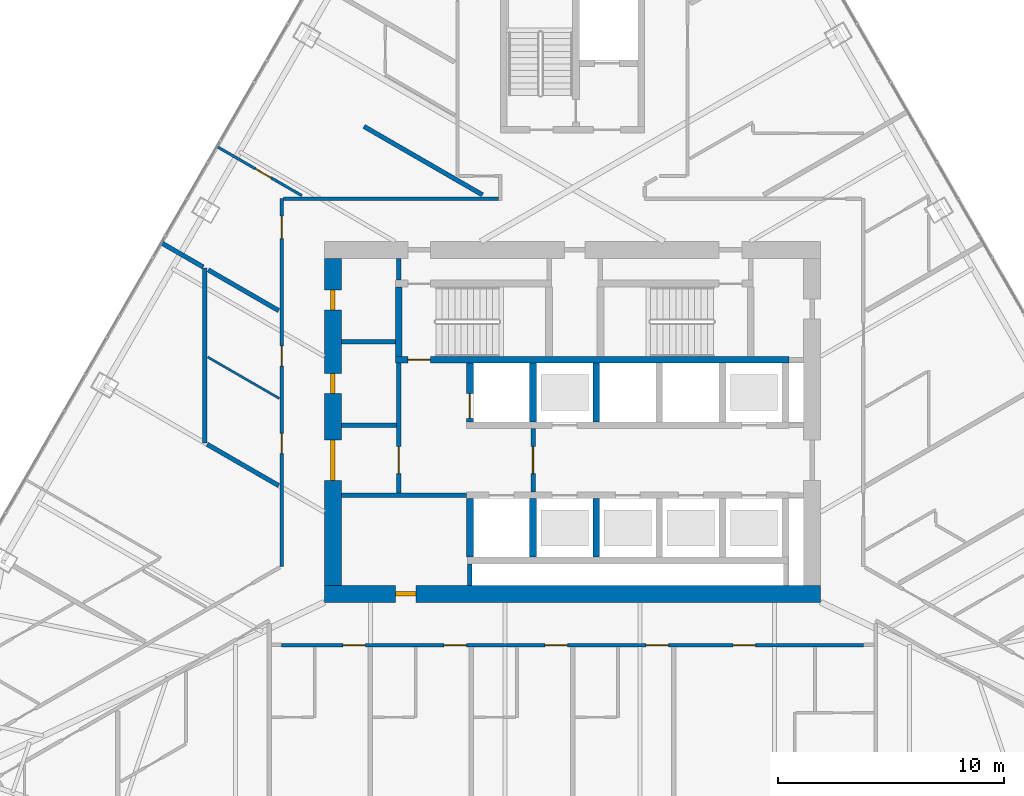
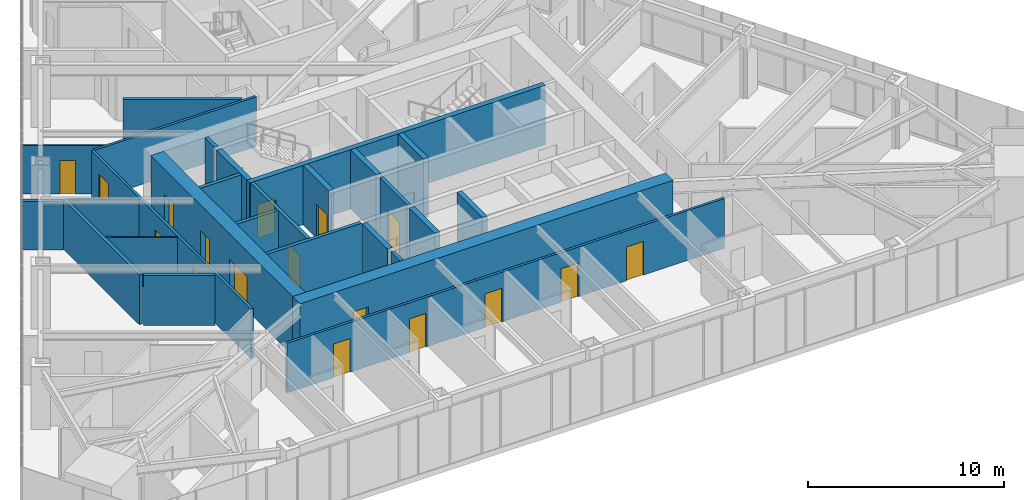
# One storey, part 20 of 26: 27 walls, 17 doors, 17 openings.
"""IFC4 building model written with IfcOpenShell, lengths in metres."""

from ifc_helpers import new_model, si_unit, direction, frame, frame_2d, origin, place, context, subcontext, project, spatial, rectangle, extrude, material, layer, layer_set, type_object, element, fill, save


model = new_model("IFC4")

# Units and contexts
model_context = context("Model", 3, precision=1e-05, world=origin(), true_north=direction((0.0, 1.0)))
body_context = subcontext(model_context, "Body", "Model", "MODEL_VIEW")
ifc_project = project(units=[si_unit("LENGTHUNIT", "METRE"), si_unit("AREAUNIT", "SQUARE_METRE"), si_unit("VOLUMEUNIT", "CUBIC_METRE"), si_unit("PLANEANGLEUNIT", "RADIAN"), si_unit("MASSUNIT", "GRAM", prefix="KILO")], contexts=[model_context])

# Site, building, storey
site_placement = place(None, origin())
site = spatial("IfcSite", under=ifc_project, at=site_placement, CompositionType="ELEMENT")
building_placement = place(site_placement, origin())
building = spatial("IfcBuilding", under=site, at=building_placement, Name="Firuza Gate Tower and Library", CompositionType="ELEMENT")
storey_placement = place(building_placement, frame((0.0, 0.0, 175.300048828125)))
storey = spatial("IfcBuildingStorey", under=building, at=storey_placement, Name="L40", CompositionType="ELEMENT", Elevation=175.300048828125)

# Walls
ifc_material_1 = material(Name="Plasterboard on steel studs", Category="steel")
ifc_layer_1 = layer(ifc_material_1, 0.199951171875)
ifc_layer_set_1 = layer_set([ifc_layer_1], Name="Core partition 200 EI 120")
wall_type_1 = type_object("IfcWallType", Name="Core partition 200 EI 120", PredefinedType="PARTITIONING", material=ifc_layer_set_1)
wall_1_placement = place(storey_placement, frame((64.75, 71.75, 0.0), z_axis=(0.0, 0.0, 1.0), x_axis=(1.0, 0.0, 0.0)))
element("IfcWall", 1, at=wall_1_placement, inside=storey, type_object=wall_type_1, Name="Core partition L40 1", PredefinedType="PARTITIONING", context=body_context, shape_type="SweptSolid", body=[
    extrude(rectangle(XDim=5.550048828125, YDim=0.199951171875, at=frame_2d((2.77490234375, 0.0))), origin(), (0.0, 0.0, 1.0), 3.699951171875),
])
wall_2_placement = place(storey_placement, frame((70.449951171875, 67.75, 0.0), z_axis=(0.0, 0.0, 1.0), x_axis=(0.0, 1.0, 0.0)))
element("IfcWall", 2, at=wall_2_placement, inside=storey, type_object=wall_type_1, Name="Core partition L40 9", PredefinedType="PARTITIONING", context=body_context, shape_type="SweptSolid", body=[
    extrude(rectangle(XDim=0.949951171875, YDim=0.199951171875, at=frame_2d((0.47509765625, 0.0))), origin(), (0.0, 0.0, 1.0), 3.699951171875),
])
ifc_material_2 = material(Name="Plasterboard on steel studs", Category="steel")
ifc_layer_2 = layer(ifc_material_2, 0.199951171875)
ifc_layer_set_2 = layer_set([ifc_layer_2], Name="Core partition 200 EI 60")
wall_type_2 = type_object("IfcWallType", Name="Core partition 200 EI 60", PredefinedType="PARTITIONING", material=ifc_layer_set_2)
wall_3_placement = place(storey_placement, frame((64.75, 74.85009765625, 0.0), z_axis=(0.0, 0.0, 1.0), x_axis=(1.0, 0.0, 0.0)))
element("IfcWall", 3, at=wall_3_placement, inside=storey, type_object=wall_type_2, Name="Core partition L40 3", PredefinedType="PARTITIONING", context=body_context, shape_type="SweptSolid", body=[
    extrude(rectangle(XDim=2.449951171875, YDim=0.199951171875, at=frame_2d((1.22509765625, 0.0))), origin(), (0.0, 0.0, 1.0), 3.699951171875),
])
wall_4_placement = place(storey_placement, frame((64.75, 78.550048828125, 0.0), z_axis=(0.0, 0.0, 1.0), x_axis=(1.0, 0.0, 0.0)))
element("IfcWall", 4, at=wall_4_placement, inside=storey, type_object=wall_type_2, Name="Core partition L40 6", PredefinedType="PARTITIONING", context=body_context, shape_type="SweptSolid", body=[
    extrude(rectangle(XDim=2.39990234375, YDim=0.199951171875, at=frame_2d((1.199951171875, 0.0))), origin(), (0.0, 0.0, 1.0), 3.699951171875),
])

# Wall, opening, door
wall_5_placement = place(storey_placement, frame((67.300048828125, 71.85009765625, 0.0), z_axis=(0.0, 0.0, 1.0), x_axis=(0.0, 1.0, 0.0)))
wall_5 = element("IfcWall", 5, at=wall_5_placement, inside=storey, type_object=wall_type_2, Name="Core partition L40 7", PredefinedType="PARTITIONING", context=body_context, shape_type="SweptSolid", body=[
    extrude(rectangle(XDim=5.75, YDim=0.199951171875, at=frame_2d((2.875, 0.0))), origin(), (0.0, 0.0, 1.0), 3.699951171875),
])
opening_1_placement = place(wall_5_placement, frame((0.85009765625, 0.0, 0.0)))
opening_1 = element("IfcOpeningElement", 6, at=opening_1_placement, cuts=wall_5, Name="Opening L40-K19", PredefinedType="OPENING", context=body_context, shape_type="SweptSolid", body=[
    extrude(rectangle(XDim=1.199951171875, YDim=2.10009765625, at=frame_2d((0.60009765625, 1.050048828125))), frame((0.0, 0.10986328125, 0.0), z_axis=(0.0, -1.0, 0.0), x_axis=(1.0, 0.0, 0.0)), (0.0, 0.0, 1.0), 0.219970703125),
])
ifc_material_3 = material(Name="Steel", Category="steel")
door_type_1 = type_object("IfcDoorType", Name="Fire door 1200x2100 FD90S", OperationType="NOTDEFINED", PredefinedType="DOOR", material=ifc_material_3)
door_1_placement = place(opening_1_placement, origin())
door_1 = element("IfcDoor", 7, at=door_1_placement, inside=storey, type_object=door_type_1, Name="Door L40-K19", OperationType="SINGLE_SWING_RIGHT", OverallHeight=2.10009765625, OverallWidth=1.199951171875, PredefinedType="DOOR", context=body_context, shape_type="SweptSolid", body=[
    extrude(rectangle(XDim=1.199951171875, YDim=2.10009765625, at=frame_2d((0.60009765625, 1.050048828125))), frame((0.0, 0.02490234375, 0.0), z_axis=(0.0, -1.0, 0.0), x_axis=(1.0, 0.0, 0.0)), (0.0, 0.0, 1.0), 0.050048828125),
])
fill(opening_1, door_1)

# Wall
wall_6_placement = place(storey_placement, frame((67.300048828125, 81.280029296875, 0.0), z_axis=(0.0, 0.0, 1.0), x_axis=(0.0, 1.0, 0.0)))
element("IfcWall", 8, at=wall_6_placement, inside=storey, type_object=wall_type_2, Name="Core partition L40 8", PredefinedType="PARTITIONING", context=body_context, shape_type="SweptSolid", body=[
    extrude(rectangle(XDim=0.969970703125, YDim=0.199951171875, at=frame_2d((0.48486328125, 0.0))), origin(), (0.0, 0.0, 1.0), 3.699951171875),
])

# Wall, opening, door
wall_7_placement = place(storey_placement, frame((73.25, 71.89990234375, 0.0), z_axis=(0.0, 0.0, 1.0), x_axis=(0.0, 1.0, 0.0)))
wall_7 = element("IfcWall", 9, at=wall_7_placement, inside=storey, type_object=wall_type_2, Name="Core partition L40 10", PredefinedType="PARTITIONING", context=body_context, shape_type="SweptSolid", body=[
    extrude(rectangle(XDim=2.800048828125, YDim=0.199951171875, at=frame_2d((1.39990234375, 0.0))), origin(), (0.0, 0.0, 1.0), 3.699951171875),
])
opening_2_placement = place(wall_7_placement, frame((0.800048828125, 0.0, 0.0)))
opening_2 = element("IfcOpeningElement", 10, at=opening_2_placement, cuts=wall_7, Name="Opening L40-K18", PredefinedType="OPENING", context=body_context, shape_type="SweptSolid", body=[
    extrude(rectangle(XDim=1.199951171875, YDim=2.10009765625, at=frame_2d((0.60009765625, 1.050048828125))), frame((0.0, 0.10986328125, 0.0), z_axis=(0.0, -1.0, 0.0), x_axis=(1.0, 0.0, 0.0)), (0.0, 0.0, 1.0), 0.219970703125),
])
door_2_placement = place(opening_2_placement, origin())
door_2 = element("IfcDoor", 11, at=door_2_placement, inside=storey, type_object=door_type_1, Name="Door L40-K18", OperationType="SINGLE_SWING_LEFT", OverallHeight=2.10009765625, OverallWidth=1.199951171875, PredefinedType="DOOR", context=body_context, shape_type="SweptSolid", body=[
    extrude(rectangle(XDim=1.199951171875, YDim=2.10009765625, at=frame_2d((0.60009765625, 1.050048828125))), frame((0.0, 0.02490234375, 0.0), z_axis=(0.0, -1.0, 0.0), x_axis=(1.0, 0.0, 0.0)), (0.0, 0.0, 1.0), 0.050048828125),
])
fill(opening_2, door_2)

# Wall
ifc_material_4 = material(Name="Concrete C80/95", Category="concrete")
ifc_layer_3 = layer(ifc_material_4, 0.300048828125)
ifc_layer_set_3 = layer_set([ifc_layer_3], Name="Core wall 300 C80/95")
wall_type_3 = type_object("IfcWallType", Name="Core wall 300 C80/95", PredefinedType="SHEAR", material=ifc_layer_set_3)
wall_8_placement = place(storey_placement, frame((70.449951171875, 69.0, 0.0), z_axis=(0.0, 0.0, 1.0), x_axis=(0.0, 1.0, 0.0)))
element("IfcWall", 12, at=wall_8_placement, inside=storey, type_object=wall_type_3, Name="Core wall L40 8", PredefinedType="SHEAR", context=body_context, shape_type="SweptSolid", body=[
    extrude(rectangle(XDim=2.60009765625, YDim=0.300048828125, at=frame_2d((1.300048828125, 0.0))), origin(), (0.0, 0.0, 1.0), 3.699951171875),
])

# Wall, opening, door
wall_9_placement = place(storey_placement, frame((70.449951171875, 75.0, 0.0), z_axis=(0.0, 0.0, 1.0), x_axis=(0.0, 1.0, 0.0)))
wall_9 = element("IfcWall", 13, at=wall_9_placement, inside=storey, type_object=wall_type_3, Name="Core wall L40 9", PredefinedType="SHEAR", context=body_context, shape_type="SweptSolid", body=[
    extrude(rectangle(XDim=2.60009765625, YDim=0.300048828125, at=frame_2d((1.300048828125, 0.0))), origin(), (0.0, 0.0, 1.0), 3.699951171875),
])
opening_3_placement = place(wall_9_placement, frame((0.14990234375, 0.0, 0.0)))
opening_3 = element("IfcOpeningElement", 14, at=opening_3_placement, cuts=wall_9, Name="Opening LD-FF2-L40", PredefinedType="OPENING", context=body_context, shape_type="SweptSolid", body=[
    extrude(rectangle(XDim=1.10009765625, YDim=2.10009765625, at=frame_2d((0.550048828125, 1.050048828125))), frame((0.0, 0.16015625, 0.0), z_axis=(0.0, -1.0, 0.0), x_axis=(1.0, 0.0, 0.0)), (0.0, 0.0, 1.0), 0.320068359375),
])
ifc_material_5 = material(Name="Stainless steel", Category="steel")
door_type_2 = type_object("IfcDoorType", Name="Lift landing door 1100x2100", OperationType="DOUBLE_DOOR_SLIDING", PredefinedType="DOOR", material=ifc_material_5)
door_3_placement = place(opening_3_placement, origin())
door_3 = element("IfcDoor", 15, at=door_3_placement, inside=storey, type_object=door_type_2, Name="Landing door FF2 L40", OperationType="DOUBLE_DOOR_SLIDING", OverallHeight=2.10009765625, OverallWidth=1.10009765625, PredefinedType="DOOR", context=body_context, shape_type="SweptSolid", body=[
    extrude(rectangle(XDim=1.10009765625, YDim=2.10009765625, at=frame_2d((0.550048828125, 1.050048828125))), frame((0.0, 0.02490234375, 0.0), z_axis=(0.0, -1.0, 0.0), x_axis=(1.0, 0.0, 0.0)), (0.0, 0.0, 1.0), 0.050048828125),
])
fill(opening_3, door_3)

# Walls
for number, where, z_axis, x_axis, name in (
    (16, (73.25, 69.0, 0.0), (0.0, 0.0, 1.0), (0.0, 1.0, 0.0), "Core wall L40 10"),
    (17, (73.25, 75.0, 0.0), (0.0, 0.0, 1.0), (0.0, 1.0, 0.0), "Core wall L40 11"),
    (18, (76.050048828125, 69.0, 0.0), (0.0, 0.0, 1.0), (0.0, 1.0, 0.0), "Core wall L40 12"),
    (19, (76.050048828125, 75.0, 0.0), (0.0, 0.0, 1.0), (0.0, 1.0, 0.0), "Core wall L40 13"),
):
    element("IfcWall", number, at=place(storey_placement, frame(where, z_axis=z_axis, x_axis=x_axis)), inside=storey, type_object=wall_type_3, Name=name, PredefinedType="SHEAR", context=body_context, shape_type="SweptSolid", body=[
        extrude(rectangle(XDim=2.60009765625, YDim=0.300048828125, at=frame_2d((1.300048828125, 0.0))), origin(), (0.0, 0.0, 1.0), 3.699951171875),
    ])

# Wall, opening, door
wall_10_placement = place(storey_placement, frame((67.14990234375, 77.75, 0.0), z_axis=(0.0, 0.0, 1.0), x_axis=(1.0, 0.0, 0.0)))
wall_10 = element("IfcWall", 20, at=wall_10_placement, inside=storey, type_object=wall_type_3, Name="Core wall L40 20", PredefinedType="SHEAR", context=body_context, shape_type="SweptSolid", body=[
    extrude(rectangle(XDim=17.4501953125, YDim=0.300048828125, at=frame_2d((8.72509765625, 0.0))), origin(), (0.0, 0.0, 1.0), 3.699951171875),
])
opening_4_placement = place(wall_10_placement, frame((0.544921875, 0.0, 0.0)))
opening_4 = element("IfcOpeningElement", 21, at=opening_4_placement, cuts=wall_10, Name="Opening L40-K10", PredefinedType="OPENING", context=body_context, shape_type="SweptSolid", body=[
    extrude(rectangle(XDim=1.0, YDim=2.10009765625, at=frame_2d((0.5, 1.050048828125))), frame((0.0, 0.16015625, 0.0), z_axis=(0.0, -1.0, 0.0), x_axis=(1.0, 0.0, 0.0)), (0.0, 0.0, 1.0), 0.320068359375),
])
ifc_material_6 = material(Name="Steel", Category="steel")
door_type_3 = type_object("IfcDoorType", Name="Fire door 1000x2100 FD90", OperationType="NOTDEFINED", PredefinedType="DOOR", material=ifc_material_6)
door_4_placement = place(opening_4_placement, origin())
door_4 = element("IfcDoor", 22, at=door_4_placement, inside=storey, type_object=door_type_3, Name="Door L40-K10", OperationType="SINGLE_SWING_LEFT", OverallHeight=2.10009765625, OverallWidth=1.0, PredefinedType="DOOR", context=body_context, shape_type="SweptSolid", body=[
    extrude(rectangle(XDim=1.0, YDim=2.10009765625, at=frame_2d((0.5, 1.050048828125))), frame((0.0, 0.02490234375, 0.0), z_axis=(0.0, -1.0, 0.0), x_axis=(1.0, 0.0, 0.0)), (0.0, 0.0, 1.0), 0.050048828125),
])
fill(opening_4, door_4)

# Wall
wall_11_placement = place(storey_placement, frame((67.300048828125, 77.89990234375, 0.0), z_axis=(0.0, 0.0, 1.0), x_axis=(0.0, 1.0, 0.0)))
element("IfcWall", 23, at=wall_11_placement, inside=storey, type_object=wall_type_3, Name="Core wall L40 23", PredefinedType="SHEAR", context=body_context, shape_type="SweptSolid", body=[
    extrude(rectangle(XDim=3.080078125, YDim=0.300048828125, at=frame_2d((1.5400390625, 0.0))), origin(), (0.0, 0.0, 1.0), 3.699951171875),
])

# Wall, opening, door
ifc_material_7 = material(Name="Concrete C80/95", Category="concrete")
ifc_layer_4 = layer(ifc_material_7, 0.75)
ifc_layer_set_4 = layer_set([ifc_layer_4], Name="Core wall 750 C80/95")
wall_type_4 = type_object("IfcWallType", Name="Core wall 750 C80/95", PredefinedType="SHEAR", material=ifc_layer_set_4)
wall_12_placement = place(storey_placement, frame((64.0, 67.375, 0.0), z_axis=(0.0, 0.0, 1.0), x_axis=(1.0, 0.0, 0.0)))
wall_12 = element("IfcWall", 24, at=wall_12_placement, inside=storey, type_object=wall_type_4, Name="Core wall L40 1", PredefinedType="SHEAR", context=body_context, shape_type="SweptSolid", body=[
    extrude(rectangle(XDim=22.0, YDim=0.75, at=frame_2d((11.0, 0.0))), origin(), (0.0, 0.0, 1.0), 3.699951171875),
])
opening_5_placement = place(wall_12_placement, frame((3.14990234375, 0.0, 0.0)))
opening_5 = element("IfcOpeningElement", 25, at=opening_5_placement, cuts=wall_12, Name="Opening L40-K22", PredefinedType="OPENING", context=body_context, shape_type="SweptSolid", body=[
    extrude(rectangle(XDim=0.89990234375, YDim=2.10009765625, at=frame_2d((0.449951171875, 1.050048828125))), frame((0.0, 0.385009765625, 0.0), z_axis=(0.0, -1.0, 0.0), x_axis=(1.0, 0.0, 0.0)), (0.0, 0.0, 1.0), 0.77001953125),
])
ifc_material_8 = material(Name="Steel", Category="steel")
door_type_4 = type_object("IfcDoorType", Name="Fire door 900x2100 FD30S", OperationType="NOTDEFINED", PredefinedType="DOOR", material=ifc_material_8)
door_5_placement = place(opening_5_placement, origin())
door_5 = element("IfcDoor", 26, at=door_5_placement, inside=storey, type_object=door_type_4, Name="Door L40-K22", OperationType="SINGLE_SWING_LEFT", OverallHeight=2.10009765625, OverallWidth=0.89990234375, PredefinedType="DOOR", context=body_context, shape_type="SweptSolid", body=[
    extrude(rectangle(XDim=0.89990234375, YDim=2.10009765625, at=frame_2d((0.449951171875, 1.050048828125))), frame((0.0, 0.094970703125, 0.0), z_axis=(0.0, -1.0, 0.0), x_axis=(1.0, 0.0, 0.0)), (0.0, 0.0, 1.0), 0.18994140625),
])
fill(opening_5, door_5)

# Wall, openings, doors
wall_13_placement = place(storey_placement, frame((64.375, 67.75, 0.0), z_axis=(0.0, 0.0, 1.0), x_axis=(0.0, 1.0, 0.0)))
wall_13 = element("IfcWall", 27, at=wall_13_placement, inside=storey, type_object=wall_type_4, Name="Core wall L40 3", PredefinedType="SHEAR", context=body_context, shape_type="SweptSolid", body=[
    extrude(rectangle(XDim=14.5, YDim=0.75, at=frame_2d((7.25, 0.0))), origin(), (0.0, 0.0, 1.0), 3.699951171875),
])
opening_6_placement = place(wall_13_placement, frame((4.64990234375, 0.0, 0.0)))
opening_6 = element("IfcOpeningElement", 28, at=opening_6_placement, cuts=wall_13, Name="Opening L40-K20", PredefinedType="OPENING", context=body_context, shape_type="SweptSolid", body=[
    extrude(rectangle(XDim=1.800048828125, YDim=2.10009765625, at=frame_2d((0.89990234375, 1.050048828125))), frame((0.0, 0.385009765625, 0.0), z_axis=(0.0, -1.0, 0.0), x_axis=(1.0, 0.0, 0.0)), (0.0, 0.0, 1.0), 0.77001953125),
])
opening_7_placement = place(wall_13_placement, frame((8.5, 0.0, 0.0)))
opening_7 = element("IfcOpeningElement", 29, at=opening_7_placement, cuts=wall_13, Name="Opening L40-K23", PredefinedType="OPENING", context=body_context, shape_type="SweptSolid", body=[
    extrude(rectangle(XDim=0.89990234375, YDim=2.10009765625, at=frame_2d((0.449951171875, 1.050048828125))), frame((0.0, 0.385009765625, 0.0), z_axis=(0.0, -1.0, 0.0), x_axis=(1.0, 0.0, 0.0)), (0.0, 0.0, 1.0), 0.77001953125),
])
opening_8_placement = place(wall_13_placement, frame((12.199951171875, 0.0, 0.0)))
opening_8 = element("IfcOpeningElement", 30, at=opening_8_placement, cuts=wall_13, Name="Opening L40-K24", PredefinedType="OPENING", context=body_context, shape_type="SweptSolid", body=[
    extrude(rectangle(XDim=0.89990234375, YDim=2.10009765625, at=frame_2d((0.449951171875, 1.050048828125))), frame((0.0, 0.385009765625, 0.0), z_axis=(0.0, -1.0, 0.0), x_axis=(1.0, 0.0, 0.0)), (0.0, 0.0, 1.0), 0.77001953125),
])
ifc_material_9 = material(Name="Steel", Category="steel")
door_type_5 = type_object("IfcDoorType", Name="Fire door 1800x2100 FD30S", OperationType="NOTDEFINED", PredefinedType="DOOR", material=ifc_material_9)
door_6_placement = place(opening_6_placement, origin())
door_6 = element("IfcDoor", 31, at=door_6_placement, inside=storey, type_object=door_type_5, Name="Door L40-K20", OperationType="SINGLE_SWING_LEFT", OverallHeight=2.10009765625, OverallWidth=1.800048828125, PredefinedType="DOOR", context=body_context, shape_type="SweptSolid", body=[
    extrude(rectangle(XDim=1.800048828125, YDim=2.10009765625, at=frame_2d((0.89990234375, 1.050048828125))), frame((0.0, 0.094970703125, 0.0), z_axis=(0.0, -1.0, 0.0), x_axis=(1.0, 0.0, 0.0)), (0.0, 0.0, 1.0), 0.18994140625),
])
fill(opening_6, door_6)
door_7_placement = place(opening_7_placement, origin())
door_7 = element("IfcDoor", 32, at=door_7_placement, inside=storey, type_object=door_type_4, Name="Door L40-K23", OperationType="SINGLE_SWING_RIGHT", OverallHeight=2.10009765625, OverallWidth=0.89990234375, PredefinedType="DOOR", context=body_context, shape_type="SweptSolid", body=[
    extrude(rectangle(XDim=0.89990234375, YDim=2.10009765625, at=frame_2d((0.449951171875, 1.050048828125))), frame((0.0, 0.094970703125, 0.0), z_axis=(0.0, -1.0, 0.0), x_axis=(1.0, 0.0, 0.0)), (0.0, 0.0, 1.0), 0.18994140625),
])
fill(opening_7, door_7)
door_8_placement = place(opening_8_placement, origin())
door_8 = element("IfcDoor", 33, at=door_8_placement, inside=storey, type_object=door_type_4, Name="Door L40-K24", OperationType="SINGLE_SWING_LEFT", OverallHeight=2.10009765625, OverallWidth=0.89990234375, PredefinedType="DOOR", context=body_context, shape_type="SweptSolid", body=[
    extrude(rectangle(XDim=0.89990234375, YDim=2.10009765625, at=frame_2d((0.449951171875, 1.050048828125))), frame((0.0, 0.094970703125, 0.0), z_axis=(0.0, -1.0, 0.0), x_axis=(1.0, 0.0, 0.0)), (0.0, 0.0, 1.0), 0.18994140625),
])
fill(opening_8, door_8)

ifc_material_10 = material(Name="Gypsum board partition")
ifc_layer_5 = layer(ifc_material_10, 0.14990234375)
ifc_layer_set_5 = layer_set([ifc_layer_5], Name="Corridor wall 150 double board on steel studs")
wall_type_5 = type_object("IfcWallType", Name="Corridor wall 150 double board on steel studs", PredefinedType="PARTITIONING", material=ifc_layer_set_5)
wall_14_placement = place(storey_placement, frame((87.8994140625, 65.10009765625, 0.0), z_axis=(0.0, 0.0, 1.0), x_axis=(-1.0, 0.0, 0.0)))
wall_14 = element("IfcWall", 34, at=wall_14_placement, inside=storey, type_object=wall_type_5, Name="f:L40:w008", PredefinedType="PARTITIONING", context=body_context, shape_type="SweptSolid", body=[
    extrude(rectangle(XDim=25.798828125, YDim=0.14990234375, at=frame_2d((12.8994140625, 0.0))), origin(), (0.0, 0.0, 1.0), 3.099853515625),
])
opening_9_placement = place(wall_14_placement, frame((4.781982421875, 0.0, 0.0)))
opening_9 = element("IfcOpeningElement", 35, at=opening_9_placement, cuts=wall_14, Name="Opening L40-06", PredefinedType="OPENING", context=body_context, shape_type="SweptSolid", body=[
    extrude(rectangle(XDim=1.0, YDim=2.10009765625, at=frame_2d((0.5, 1.050048828125))), frame((0.0, 0.0849609375, 0.0), z_axis=(0.0, -1.0, 0.0), x_axis=(1.0, 0.0, 0.0)), (0.0, 0.0, 1.0), 0.169921875),
])
opening_10_placement = place(wall_14_placement, frame((8.63623046875, 0.0, 0.0)))
opening_10 = element("IfcOpeningElement", 36, at=opening_10_placement, cuts=wall_14, Name="Opening L40-07", PredefinedType="OPENING", context=body_context, shape_type="SweptSolid", body=[
    extrude(rectangle(XDim=1.0, YDim=2.10009765625, at=frame_2d((0.5, 1.050048828125))), frame((0.0, 0.0849609375, 0.0), z_axis=(0.0, -1.0, 0.0), x_axis=(1.0, 0.0, 0.0)), (0.0, 0.0, 1.0), 0.169921875),
])
opening_11_placement = place(wall_14_placement, frame((13.1171875, 0.0, 0.0)))
opening_11 = element("IfcOpeningElement", 37, at=opening_11_placement, cuts=wall_14, Name="Opening L40-08", PredefinedType="OPENING", context=body_context, shape_type="SweptSolid", body=[
    extrude(rectangle(XDim=1.0, YDim=2.10009765625, at=frame_2d((0.5, 1.050048828125))), frame((0.0, 0.0849609375, 0.0), z_axis=(0.0, -1.0, 0.0), x_axis=(1.0, 0.0, 0.0)), (0.0, 0.0, 1.0), 0.169921875),
])
opening_12_placement = place(wall_14_placement, frame((17.59814453125, 0.0, 0.0)))
opening_12 = element("IfcOpeningElement", 38, at=opening_12_placement, cuts=wall_14, Name="Opening L40-09", PredefinedType="OPENING", context=body_context, shape_type="SweptSolid", body=[
    extrude(rectangle(XDim=1.0, YDim=2.10009765625, at=frame_2d((0.5, 1.050048828125))), frame((0.0, 0.0849609375, 0.0), z_axis=(0.0, -1.0, 0.0), x_axis=(1.0, 0.0, 0.0)), (0.0, 0.0, 1.0), 0.169921875),
])
opening_13_placement = place(wall_14_placement, frame((22.0791015625, 0.0, 0.0)))
opening_13 = element("IfcOpeningElement", 39, at=opening_13_placement, cuts=wall_14, Name="Opening L40-10", PredefinedType="OPENING", context=body_context, shape_type="SweptSolid", body=[
    extrude(rectangle(XDim=1.0, YDim=2.10009765625, at=frame_2d((0.5, 1.050048828125))), frame((0.0, 0.0849609375, 0.0), z_axis=(0.0, -1.0, 0.0), x_axis=(1.0, 0.0, 0.0)), (0.0, 0.0, 1.0), 0.169921875),
])
ifc_material_11 = material(Name="Steel door and timber leaf", Category="steel")
door_type_6 = type_object("IfcDoorType", Name="Fire door 1000 x 2100 steel frame, timber leaf", OperationType="NOTDEFINED", PredefinedType="DOOR", material=ifc_material_11)
door_9_placement = place(opening_9_placement, origin())
door_9 = element("IfcDoor", 40, at=door_9_placement, inside=storey, type_object=door_type_6, Name="f:L40:d006", OperationType="SINGLE_SWING_RIGHT", OverallHeight=2.10009765625, OverallWidth=1.0, PredefinedType="DOOR", context=body_context, shape_type="SweptSolid", body=[
    extrude(rectangle(XDim=1.0, YDim=2.10009765625, at=frame_2d((0.5, 1.050048828125))), frame((0.0, 0.02490234375, 0.0), z_axis=(0.0, -1.0, 0.0), x_axis=(1.0, 0.0, 0.0)), (0.0, 0.0, 1.0), 0.050048828125),
])
fill(opening_9, door_9)
door_10_placement = place(opening_10_placement, origin())
door_10 = element("IfcDoor", 41, at=door_10_placement, inside=storey, type_object=door_type_6, Name="f:L40:d007", OperationType="SINGLE_SWING_RIGHT", OverallHeight=2.10009765625, OverallWidth=1.0, PredefinedType="DOOR", context=body_context, shape_type="SweptSolid", body=[
    extrude(rectangle(XDim=1.0, YDim=2.10009765625, at=frame_2d((0.5, 1.050048828125))), frame((0.0, 0.02490234375, 0.0), z_axis=(0.0, -1.0, 0.0), x_axis=(1.0, 0.0, 0.0)), (0.0, 0.0, 1.0), 0.050048828125),
])
fill(opening_10, door_10)
door_11_placement = place(opening_11_placement, origin())
door_11 = element("IfcDoor", 42, at=door_11_placement, inside=storey, type_object=door_type_6, Name="f:L40:d008", OperationType="SINGLE_SWING_RIGHT", OverallHeight=2.10009765625, OverallWidth=1.0, PredefinedType="DOOR", context=body_context, shape_type="SweptSolid", body=[
    extrude(rectangle(XDim=1.0, YDim=2.10009765625, at=frame_2d((0.5, 1.050048828125))), frame((0.0, 0.02490234375, 0.0), z_axis=(0.0, -1.0, 0.0), x_axis=(1.0, 0.0, 0.0)), (0.0, 0.0, 1.0), 0.050048828125),
])
fill(opening_11, door_11)
door_12_placement = place(opening_12_placement, origin())
door_12 = element("IfcDoor", 43, at=door_12_placement, inside=storey, type_object=door_type_6, Name="f:L40:d009", OperationType="SINGLE_SWING_RIGHT", OverallHeight=2.10009765625, OverallWidth=1.0, PredefinedType="DOOR", context=body_context, shape_type="SweptSolid", body=[
    extrude(rectangle(XDim=1.0, YDim=2.10009765625, at=frame_2d((0.5, 1.050048828125))), frame((0.0, 0.02490234375, 0.0), z_axis=(0.0, -1.0, 0.0), x_axis=(1.0, 0.0, 0.0)), (0.0, 0.0, 1.0), 0.050048828125),
])
fill(opening_12, door_12)
door_13_placement = place(opening_13_placement, origin())
door_13 = element("IfcDoor", 44, at=door_13_placement, inside=storey, type_object=door_type_6, Name="f:L40:d010", OperationType="SINGLE_SWING_RIGHT", OverallHeight=2.10009765625, OverallWidth=1.0, PredefinedType="DOOR", context=body_context, shape_type="SweptSolid", body=[
    extrude(rectangle(XDim=1.0, YDim=2.10009765625, at=frame_2d((0.5, 1.050048828125))), frame((0.0, 0.02490234375, 0.0), z_axis=(0.0, -1.0, 0.0), x_axis=(1.0, 0.0, 0.0)), (0.0, 0.0, 1.0), 0.050048828125),
])
fill(opening_13, door_13)

# Wall
wall_15_placement = place(storey_placement, frame((62.175537109375, 84.89990234375, 0.0), z_axis=(0.0, 0.0, 1.0), x_axis=(1.0, 0.0, 0.0)))
element("IfcWall", 45, at=wall_15_placement, inside=storey, type_object=wall_type_5, Name="f:L40:w011", PredefinedType="PARTITIONING", context=body_context, shape_type="SweptSolid", body=[
    extrude(rectangle(XDim=9.549560546875, YDim=0.14990234375, at=frame_2d((4.77490234375, 0.0))), origin(), (0.0, 0.0, 1.0), 3.099853515625),
])

# Wall, openings, doors
wall_16_placement = place(storey_placement, frame((62.10009765625, 68.59130859375, 0.0), z_axis=(0.0, 0.0, 1.0), x_axis=(0.0, 1.0, 0.0)))
wall_16 = element("IfcWall", 46, at=wall_16_placement, inside=storey, type_object=wall_type_5, Name="f:L40:w080", PredefinedType="PARTITIONING", context=body_context, shape_type="SweptSolid", body=[
    extrude(rectangle(XDim=16.30810546875, YDim=0.14990234375, at=frame_2d((8.154052734375, 0.0))), origin(), (0.0, 0.0, 1.0), 3.099853515625),
])
opening_14_placement = place(wall_16_placement, frame((4.99853515625, 0.0, 0.0)))
opening_14 = element("IfcOpeningElement", 47, at=opening_14_placement, cuts=wall_16, Name="Opening L40-41", PredefinedType="OPENING", context=body_context, shape_type="SweptSolid", body=[
    extrude(rectangle(XDim=0.89990234375, YDim=2.10009765625, at=frame_2d((0.449951171875, 1.050048828125))), frame((0.0, 0.0849609375, 0.0), z_axis=(0.0, -1.0, 0.0), x_axis=(1.0, 0.0, 0.0)), (0.0, 0.0, 1.0), 0.169921875),
])
opening_15_placement = place(wall_16_placement, frame((8.879150390625, 0.0, 0.0)))
opening_15 = element("IfcOpeningElement", 48, at=opening_15_placement, cuts=wall_16, Name="Opening L40-42", PredefinedType="OPENING", context=body_context, shape_type="SweptSolid", body=[
    extrude(rectangle(XDim=0.89990234375, YDim=2.10009765625, at=frame_2d((0.449951171875, 1.050048828125))), frame((0.0, 0.0849609375, 0.0), z_axis=(0.0, -1.0, 0.0), x_axis=(1.0, 0.0, 0.0)), (0.0, 0.0, 1.0), 0.169921875),
])
opening_16_placement = place(wall_16_placement, frame((14.53173828125, 0.0, 0.0)))
opening_16 = element("IfcOpeningElement", 49, at=opening_16_placement, cuts=wall_16, Name="Opening L40-43", PredefinedType="OPENING", context=body_context, shape_type="SweptSolid", body=[
    extrude(rectangle(XDim=1.0, YDim=2.10009765625, at=frame_2d((0.5, 1.050048828125))), frame((0.0, 0.0849609375, 0.0), z_axis=(0.0, -1.0, 0.0), x_axis=(1.0, 0.0, 0.0)), (0.0, 0.0, 1.0), 0.169921875),
])
door_14_placement = place(opening_16_placement, origin())
door_14 = element("IfcDoor", 50, at=door_14_placement, inside=storey, type_object=door_type_6, Name="f:L40:d043", OperationType="SINGLE_SWING_RIGHT", OverallHeight=2.10009765625, OverallWidth=1.0, PredefinedType="DOOR", context=body_context, shape_type="SweptSolid", body=[
    extrude(rectangle(XDim=1.0, YDim=2.10009765625, at=frame_2d((0.5, 1.050048828125))), frame((0.0, 0.02490234375, 0.0), z_axis=(0.0, -1.0, 0.0), x_axis=(1.0, 0.0, 0.0)), (0.0, 0.0, 1.0), 0.050048828125),
])
fill(opening_16, door_14)
ifc_material_12 = material(Name="Steel door and timber leaf", Category="steel")
door_type_7 = type_object("IfcDoorType", Name="Fire door 900 x 2100 steel frame, timber leaf", OperationType="NOTDEFINED", PredefinedType="DOOR", material=ifc_material_12)
door_15_placement = place(opening_14_placement, origin())
door_15 = element("IfcDoor", 51, at=door_15_placement, inside=storey, type_object=door_type_7, Name="f:L40:d041", OperationType="SINGLE_SWING_LEFT", OverallHeight=2.10009765625, OverallWidth=0.89990234375, PredefinedType="DOOR", context=body_context, shape_type="SweptSolid", body=[
    extrude(rectangle(XDim=0.89990234375, YDim=2.10009765625, at=frame_2d((0.449951171875, 1.050048828125))), frame((0.0, 0.02490234375, 0.0), z_axis=(0.0, -1.0, 0.0), x_axis=(1.0, 0.0, 0.0)), (0.0, 0.0, 1.0), 0.050048828125),
])
fill(opening_14, door_15)
door_16_placement = place(opening_15_placement, origin())
door_16 = element("IfcDoor", 52, at=door_16_placement, inside=storey, type_object=door_type_7, Name="f:L40:d042", OperationType="SINGLE_SWING_RIGHT", OverallHeight=2.10009765625, OverallWidth=0.89990234375, PredefinedType="DOOR", context=body_context, shape_type="SweptSolid", body=[
    extrude(rectangle(XDim=0.89990234375, YDim=2.10009765625, at=frame_2d((0.449951171875, 1.050048828125))), frame((0.0, 0.02490234375, 0.0), z_axis=(0.0, -1.0, 0.0), x_axis=(1.0, 0.0, 0.0)), (0.0, 0.0, 1.0), 0.050048828125),
])
fill(opening_15, door_16)

# Walls
ifc_material_13 = material(Name="Gypsum board partition")
ifc_layer_6 = layer(ifc_material_13, 0.199951171875)
ifc_layer_set_6 = layer_set([ifc_layer_6], Name="Demising wall 200 acoustic double stud")
wall_type_6 = type_object("IfcWallType", Name="Demising wall 200 acoustic double stud", PredefinedType="PARTITIONING", material=ifc_layer_set_6)
wall_17_placement = place(storey_placement, frame((58.699951171875, 74.063232421875, 0.0), z_axis=(0.0, 0.0, 1.0), x_axis=(0.0, 1.0, 0.0)))
element("IfcWall", 53, at=wall_17_placement, inside=storey, type_object=wall_type_6, Name="f:L40:w082", PredefinedType="PARTITIONING", context=body_context, shape_type="SweptSolid", body=[
    extrude(rectangle(XDim=7.76025390625, YDim=0.199951171875, at=frame_2d((3.880126953125, 0.0))), origin(), (0.0, 0.0, 1.0), 3.099853515625),
])
wall_18_placement = place(storey_placement, frame((71.009521484375, 85.064697265625, 0.0), z_axis=(0.0, 0.0, 1.0), x_axis=(-0.866024161028, 0.500002152512, 0.0)))
element("IfcWall", 54, at=wall_18_placement, inside=storey, type_object=wall_type_6, Name="f:L40:w099", PredefinedType="PARTITIONING", context=body_context, shape_type="SweptSolid", body=[
    extrude(rectangle(XDim=6.06982421875, YDim=0.199951171875, at=frame_2d((3.034912109375, 0.0))), origin(), (0.0, 0.0, 1.0), 3.099853515625),
])
wall_19_placement = place(storey_placement, frame((61.972900390625, 79.93359375, 0.0), z_axis=(0.0, 0.0, 1.0), x_axis=(-0.866022099498, 0.500005723148, 0.0)))
element("IfcWall", 55, at=wall_19_placement, inside=storey, type_object=wall_type_6, Name="f:L40:w107", PredefinedType="PARTITIONING", context=body_context, shape_type="SweptSolid", body=[
    extrude(rectangle(XDim=3.60595703125, YDim=0.199951171875, at=frame_2d((1.802978515625, 0.0))), origin(), (0.0, 0.0, 1.0), 3.099853515625),
])
wall_20_placement = place(storey_placement, frame((61.97314453125, 72.1728515625, 0.0), z_axis=(0.0, 0.0, 1.0), x_axis=(-0.866049104564, 0.499958946799, 0.0)))
element("IfcWall", 56, at=wall_20_placement, inside=storey, type_object=wall_type_6, Name="f:L40:w110", PredefinedType="PARTITIONING", context=body_context, shape_type="SweptSolid", body=[
    extrude(rectangle(XDim=3.663818359375, YDim=0.199951171875, at=frame_2d((1.83203125, 0.0))), origin(), (0.0, 0.0, 1.0), 3.099853515625),
])
wall_21_placement = place(storey_placement, frame((58.625, 81.86669921875, 0.0), z_axis=(0.0, 0.0, 1.0), x_axis=(-0.866078449842, 0.499908110276, 0.0)))
element("IfcWall", 57, at=wall_21_placement, inside=storey, type_object=wall_type_6, Name="f:L40:w119", PredefinedType="PARTITIONING", context=body_context, shape_type="SweptSolid", body=[
    extrude(rectangle(XDim=2.125, YDim=0.199951171875, at=frame_2d((1.0625, 0.0))), origin(), (0.0, 0.0, 1.0), 3.02197265625),
])
ifc_material_14 = material(Name="Gypsum board partition")
ifc_layer_7 = layer(ifc_material_14, 0.10009765625)
ifc_layer_set_7 = layer_set([ifc_layer_7], Name="Partition 100 gypsum board on steel studs")
wall_type_7 = type_object("IfcWallType", Name="Partition 100 gypsum board on steel studs", PredefinedType="PARTITIONING", material=ifc_layer_set_7)
wall_22_placement = place(storey_placement, frame((61.999267578125, 76.03857421875, 0.0), z_axis=(0.0, 0.0, 1.0), x_axis=(-0.866020252061, 0.500008922941, 0.0)))
element("IfcWall", 58, at=wall_22_placement, inside=storey, type_object=wall_type_7, Name="f:L40:w109", PredefinedType="PARTITIONING", context=body_context, shape_type="SweptSolid", body=[
    extrude(rectangle(XDim=3.6640625, YDim=0.10009765625, at=frame_2d((1.83203125, 0.0))), origin(), (0.0, 0.0, 1.0), 3.099853515625),
])

# Wall, opening, door
ifc_material_15 = material(Name="Gypsum board partition")
ifc_layer_8 = layer(ifc_material_15, 0.1201171875)
ifc_layer_set_8 = layer_set([ifc_layer_8], Name="Wet-area partition 120 moisture-resistant board")
wall_type_8 = type_object("IfcWallType", Name="Wet-area partition 120 moisture-resistant board", PredefinedType="PARTITIONING", material=ifc_layer_set_8)
wall_23_placement = place(storey_placement, frame((59.249267578125, 87.19775390625, 0.0), z_axis=(0.0, 0.0, 1.0), x_axis=(0.866006496088, -0.50003274766, 0.0)))
wall_23 = element("IfcWall", 59, at=wall_23_placement, inside=storey, type_object=wall_type_8, Name="f:L40:w103", PredefinedType="PARTITIONING", context=body_context, shape_type="SweptSolid", body=[
    extrude(rectangle(XDim=4.336181640625, YDim=0.1201171875, at=frame_2d((2.16796875, 0.0))), origin(), (0.0, 0.0, 1.0), 3.02197265625),
])
opening_17_placement = place(wall_23_placement, frame((1.947998046875, 0.0, 0.0)))
opening_17 = element("IfcOpeningElement", 60, at=opening_17_placement, cuts=wall_23, Name="Opening L40-45", PredefinedType="OPENING", context=body_context, shape_type="SweptSolid", body=[
    extrude(rectangle(XDim=0.800048828125, YDim=2.10009765625, at=frame_2d((0.39990234375, 1.050048828125))), frame((0.0, 0.070068359375, 0.0), z_axis=(0.0, -1.0, 0.0), x_axis=(1.0, 0.0, 0.0)), (0.0, 0.0, 1.0), 0.14013671875),
])
ifc_material_16 = material(Name="Timber door", Category="wood")
door_type_8 = type_object("IfcDoorType", Name="Door 800 x 2100 timber leaf", OperationType="NOTDEFINED", PredefinedType="DOOR", material=ifc_material_16)
door_17_placement = place(opening_17_placement, origin())
door_17 = element("IfcDoor", 61, at=door_17_placement, inside=storey, type_object=door_type_8, Name="f:L40:d045", OperationType="SINGLE_SWING_RIGHT", OverallHeight=2.10009765625, OverallWidth=0.800048828125, PredefinedType="DOOR", context=body_context, shape_type="SweptSolid", body=[
    extrude(rectangle(XDim=0.800048828125, YDim=2.10009765625, at=frame_2d((0.39990234375, 1.050048828125))), frame((0.0, 0.02490234375, 0.0), z_axis=(0.0, -1.0, 0.0), x_axis=(1.0, 0.0, 0.0)), (0.0, 0.0, 1.0), 0.050048828125),
])
fill(opening_17, door_17)

save(model, "model.ifc")
